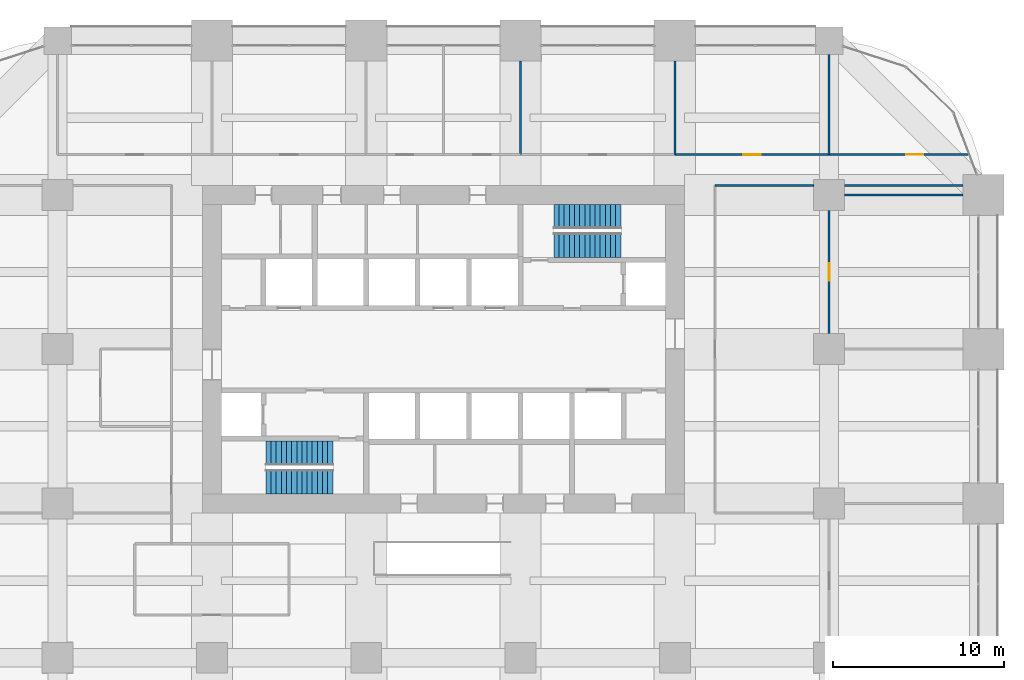
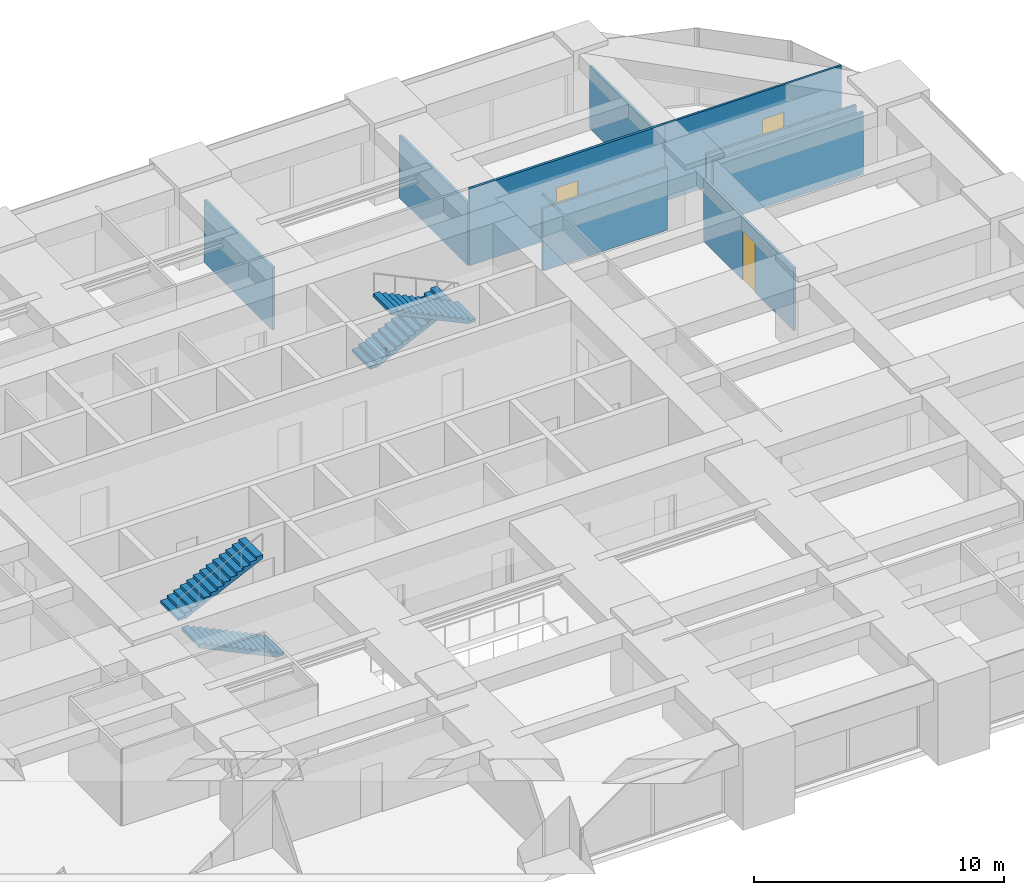
# One storey, part 41 of 43: 9 walls, 4 stair flights, 3 doors, 3 openings, 2 elements without a shape of their own.
"""IFC4 building model written with IfcOpenShell, lengths in metres."""

from ifc_helpers import new_model, si_unit, direction, frame, frame_2d, origin, place, context, subcontext, project, spatial, polyline, rectangle, outline, extrude, material, layer, layer_set, type_object, element, fill, aggregate, save


model = new_model("IFC4")

# Units and contexts
model_context = context("Model", 3, precision=1e-05, world=origin(), true_north=direction((0.0, 1.0)))
body_context = subcontext(model_context, "Body", "Model", "MODEL_VIEW")
ifc_project = project(units=[si_unit("LENGTHUNIT", "METRE"), si_unit("AREAUNIT", "SQUARE_METRE"), si_unit("VOLUMEUNIT", "CUBIC_METRE"), si_unit("PLANEANGLEUNIT", "RADIAN"), si_unit("MASSUNIT", "GRAM", prefix="KILO")], contexts=[model_context])

# Site, building, storey
site_placement = place(None, origin())
site = spatial("IfcSite", under=ifc_project, at=site_placement, CompositionType="ELEMENT")
building_placement = place(site_placement, origin())
building = spatial("IfcBuilding", under=site, at=building_placement, Name="Zorevar Civic Tower", CompositionType="ELEMENT")
storey_placement = place(building_placement, frame((0.0, 0.0, 141.0)))
storey = spatial("IfcBuildingStorey", under=building, at=storey_placement, Name="L34", CompositionType="ELEMENT", Elevation=141.0)

# Walls
ifc_material_1 = material(Name="Laminated glass in black aluminium frame", Category="aluminium")
ifc_layer_1 = layer(ifc_material_1, 0.10009765625)
ifc_layer_set_1 = layer_set([ifc_layer_1], Name="Glazed partition 100")
wall_type_1 = type_object("IfcWallType", Name="Glazed partition 100", PredefinedType="PARTITIONING", material=ifc_layer_set_1)
wall_1_placement = place(storey_placement, frame((47.35009765625, 36.550048828125, 0.0), z_axis=(0.0, 0.0, 1.0), x_axis=(1.0, 0.0, 0.0)))
element("IfcWall", 1, at=wall_1_placement, inside=storey, type_object=wall_type_1, Name="Glazed partition 100 L34", PredefinedType="PARTITIONING", context=body_context, shape_type="SweptSolid", body=[
    extrude(rectangle(XDim=5.75, YDim=0.10009765625, at=frame_2d((2.875, 0.0))), origin(), (0.0, 0.0, 1.0), 3.050048828125),
])
wall_2_placement = place(storey_placement, frame((54.89990234375, 36.550048828125, 0.0), z_axis=(0.0, 0.0, 1.0), x_axis=(1.0, 0.0, 0.0)))
element("IfcWall", 2, at=wall_2_placement, inside=storey, type_object=wall_type_1, Name="Glazed partition 100 L34", PredefinedType="PARTITIONING", context=body_context, shape_type="SweptSolid", body=[
    extrude(rectangle(XDim=6.900146484375, YDim=0.10009765625, at=frame_2d((3.4501953125, 0.0))), origin(), (0.0, 0.0, 1.0), 3.050048828125),
])

# Wall, opening, door
wall_3_placement = place(storey_placement, frame((54.0, 38.35009765625, 0.0), z_axis=(0.0, 0.0, 1.0), x_axis=(1.0, 0.0, 0.0)))
wall_3 = element("IfcWall", 3, at=wall_3_placement, inside=storey, type_object=wall_type_1, Name="Glazed partition 100 L34", PredefinedType="PARTITIONING", context=body_context, shape_type="SweptSolid", body=[
    extrude(rectangle(XDim=8.1455078125, YDim=0.10009765625, at=frame_2d((4.07275390625, 0.0))), origin(), (0.0, 0.0, 1.0), 3.75),
])
opening_1_placement = place(wall_3_placement, frame((4.5, 0.0, 0.0)))
opening_1 = element("IfcOpeningElement", 4, at=opening_1_placement, cuts=wall_3, Name="Opening L34.30", PredefinedType="OPENING", context=body_context, shape_type="SweptSolid", body=[
    extrude(rectangle(XDim=1.0, YDim=2.39990234375, at=frame_2d((0.5, 1.199951171875))), frame((0.0, 0.06005859375, 0.0), z_axis=(0.0, -1.0, 0.0), x_axis=(1.0, 0.0, 0.0)), (0.0, 0.0, 1.0), 0.1201171875),
])
ifc_material_2 = material(Name="Timber door set", Category="wood")
door_type_1 = type_object("IfcDoorType", Name="Glazed door GD1 1000x2400", OperationType="SINGLE_SWING_LEFT", PredefinedType="DOOR", material=ifc_material_2)
door_1_placement = place(opening_1_placement, origin())
door_1 = element("IfcDoor", 5, at=door_1_placement, inside=storey, type_object=door_type_1, Name="Door L34 D1", OperationType="SINGLE_SWING_RIGHT", OverallHeight=2.39990234375, OverallWidth=1.0, PredefinedType="DOOR", context=body_context, shape_type="SweptSolid", body=[
    extrude(rectangle(XDim=1.0, YDim=2.39990234375, at=frame_2d((0.5, 1.199951171875))), frame((0.0, 0.02001953125, 0.0), z_axis=(0.0, -1.0, 0.0), x_axis=(1.0, 0.0, 0.0)), (0.0, 0.0, 1.0), 0.0400390625),
])
fill(opening_1, door_1)

# Wall
ifc_material_3 = material(Name="Gypsum board on steel studs", Category="steel")
ifc_layer_2 = layer(ifc_material_3, 0.1201171875)
ifc_layer_set_2 = layer_set([ifc_layer_2], Name="Partition 120")
wall_type_2 = type_object("IfcWallType", Name="Partition 120", PredefinedType="PARTITIONING", material=ifc_layer_set_2)
wall_4_placement = place(storey_placement, frame((54.89990234375, 36.0, 0.0), z_axis=(0.0, 0.0, 1.0), x_axis=(1.0, 0.0, 0.0)))
element("IfcWall", 6, at=wall_4_placement, inside=storey, type_object=wall_type_2, Name="Partition 120 L34", PredefinedType="PARTITIONING", context=body_context, shape_type="SweptSolid", body=[
    extrude(rectangle(XDim=6.900146484375, YDim=0.1201171875, at=frame_2d((3.4501953125, 0.0))), origin(), (0.0, 0.0, 1.0), 3.050048828125),
])

# Wall, opening, door
wall_5_placement = place(storey_placement, frame((45.0, 38.35009765625, 0.0), z_axis=(0.0, 0.0, 1.0), x_axis=(1.0, 0.0, 0.0)))
wall_5 = element("IfcWall", 7, at=wall_5_placement, inside=storey, type_object=wall_type_2, Name="Partition 120 L34", PredefinedType="PARTITIONING", context=body_context, shape_type="SweptSolid", body=[
    extrude(rectangle(XDim=9.0, YDim=0.1201171875, at=frame_2d((4.5, 0.0))), origin(), (0.0, 0.0, 1.0), 3.75),
])
opening_2_placement = place(wall_5_placement, frame((4.0, 0.0, 0.0)))
opening_2 = element("IfcOpeningElement", 8, at=opening_2_placement, cuts=wall_5, Name="Opening L34.29", PredefinedType="OPENING", context=body_context, shape_type="SweptSolid", body=[
    extrude(rectangle(XDim=1.0, YDim=2.39990234375, at=frame_2d((0.5, 1.199951171875))), frame((0.0, 0.070068359375, 0.0), z_axis=(0.0, -1.0, 0.0), x_axis=(1.0, 0.0, 0.0)), (0.0, 0.0, 1.0), 0.14013671875),
])
ifc_material_4 = material(Name="Timber door set", Category="wood")
door_type_2 = type_object("IfcDoorType", Name="Door D1 1000x2400", OperationType="SINGLE_SWING_LEFT", PredefinedType="DOOR", material=ifc_material_4)
door_2_placement = place(opening_2_placement, origin())
door_2 = element("IfcDoor", 9, at=door_2_placement, inside=storey, type_object=door_type_2, Name="Door L34 D1", OperationType="SINGLE_SWING_RIGHT", OverallHeight=2.39990234375, OverallWidth=1.0, PredefinedType="DOOR", context=body_context, shape_type="SweptSolid", body=[
    extrude(rectangle(XDim=1.0, YDim=2.39990234375, at=frame_2d((0.5, 1.199951171875))), frame((0.0, 0.02490234375, 0.0), z_axis=(0.0, -1.0, 0.0), x_axis=(1.0, 0.0, 0.0)), (0.0, 0.0, 1.0), 0.050048828125),
])
fill(opening_2, door_2)

# Walls
for number, where, z_axis, x_axis, name in (
    (10, (36.0, 38.35009765625, 0.0), (0.0, 0.0, 1.0), (0.0, 1.0, 0.0), "Partition 120 L34"),
    (11, (45.0, 38.35009765625, 0.0), (0.0, 0.0, 1.0), (0.0, 1.0, 0.0), "Partition 120 L34"),
):
    element("IfcWall", number, at=place(storey_placement, frame(where, z_axis=z_axis, x_axis=x_axis)), inside=storey, type_object=wall_type_2, Name=name, PredefinedType="PARTITIONING", context=body_context, shape_type="SweptSolid", body=[
        extrude(rectangle(XDim=5.449951171875, YDim=0.1201171875, at=frame_2d((2.72509765625, 0.0))), origin(), (0.0, 0.0, 1.0), 3.050048828125),
    ])
wall_6_placement = place(storey_placement, frame((54.0, 38.35009765625, 0.0), z_axis=(0.0, 0.0, 1.0), x_axis=(0.0, 1.0, 0.0)))
element("IfcWall", 12, at=wall_6_placement, inside=storey, type_object=wall_type_2, Name="Partition 120 L34", PredefinedType="PARTITIONING", context=body_context, shape_type="SweptSolid", body=[
    extrude(rectangle(XDim=5.849853515625, YDim=0.1201171875, at=frame_2d((2.9248046875, 0.0))), origin(), (0.0, 0.0, 1.0), 3.050048828125),
])

# Wall, opening, door
wall_7_placement = place(storey_placement, frame((54.0, 27.89990234375, 0.0), z_axis=(0.0, 0.0, 1.0), x_axis=(0.0, 1.0, 0.0)))
wall_7 = element("IfcWall", 13, at=wall_7_placement, inside=storey, type_object=wall_type_2, Name="Partition 120 L34", PredefinedType="PARTITIONING", context=body_context, shape_type="SweptSolid", body=[
    extrude(rectangle(XDim=7.2001953125, YDim=0.1201171875, at=frame_2d((3.60009765625, 0.0))), origin(), (0.0, 0.0, 1.0), 3.050048828125),
])
opening_3_placement = place(wall_7_placement, frame((3.10009765625, 0.0, 0.0)))
opening_3 = element("IfcOpeningElement", 14, at=opening_3_placement, cuts=wall_7, Name="Opening L34.41", PredefinedType="OPENING", context=body_context, shape_type="SweptSolid", body=[
    extrude(rectangle(XDim=1.0, YDim=2.39990234375, at=frame_2d((0.5, 1.199951171875))), frame((0.0, 0.070068359375, 0.0), z_axis=(0.0, -1.0, 0.0), x_axis=(1.0, 0.0, 0.0)), (0.0, 0.0, 1.0), 0.14013671875),
])
door_3_placement = place(opening_3_placement, origin())
door_3 = element("IfcDoor", 15, at=door_3_placement, inside=storey, type_object=door_type_2, Name="Door L34 D1", OperationType="SINGLE_SWING_LEFT", OverallHeight=2.39990234375, OverallWidth=1.0, PredefinedType="DOOR", context=body_context, shape_type="SweptSolid", body=[
    extrude(rectangle(XDim=1.0, YDim=2.39990234375, at=frame_2d((0.5, 1.199951171875))), frame((0.0, 0.02490234375, 0.0), z_axis=(0.0, -1.0, 0.0), x_axis=(1.0, 0.0, 0.0)), (0.0, 0.0, 1.0), 0.050048828125),
])
fill(opening_3, door_3)

# Stair, stair flights
ifc_material_5 = material(Name="Precast concrete C40/50", Category="concrete")
stair_type = type_object("IfcStairType", Name="Stair ST 28R", PredefinedType="HALF_TURN_STAIR", material=ifc_material_5)
stair_1_placement = place(storey_placement, origin())
stair_1 = element("IfcStair", 16, at=stair_1_placement, inside=storey, type_object=stair_type, Name="Stair ST1 L34", PredefinedType="HALF_TURN_STAIR")
ifc_material_6 = material(Name="Precast concrete C40/50", Category="concrete")
stair_flight_type = type_object("IfcStairFlightType", Name="Stair flight", PredefinedType="STRAIGHT", material=ifc_material_6)
stair_flight_1_placement = place(storey_placement, frame((25.050048828125, 19.262451171875, 0.0), z_axis=(0.0, 0.0, 1.0), x_axis=(-1.0, 0.0, 0.0)))
stair_flight_1 = element("IfcStairFlight", 17, at=stair_flight_1_placement, type_object=stair_flight_type, Name="ST1 flight 1", NumberOfRisers=14, NumberOfTreads=13, PredefinedType="STRAIGHT", RiserHeight=0.142857143, TreadLength=0.3, context=body_context, shape_type="SweptSolid", body=[
    extrude(outline(polyline([(0.0, 0.0), (0.0, 0.142822265625), (0.300048828125, 0.142822265625), (0.300048828125, 0.28564453125), (0.60009765625, 0.28564453125), (0.60009765625, 0.428466796875), (0.89990234375, 0.428466796875), (0.89990234375, 0.571533203125), (1.199951171875, 0.571533203125), (1.199951171875, 0.71435546875), (1.5, 0.71435546875), (1.5, 0.857177734375), (1.800048828125, 0.857177734375), (1.800048828125, 1.0), (2.10009765625, 1.0), (2.10009765625, 1.142822265625), (2.39990234375, 1.142822265625), (2.39990234375, 1.28564453125), (2.699951171875, 1.28564453125), (2.699951171875, 1.428466796875), (3.0, 1.428466796875), (3.0, 1.571533203125), (3.300048828125, 1.571533203125), (3.300048828125, 1.71435546875), (3.60009765625, 1.71435546875), (3.60009765625, 1.857177734375), (3.89990234375, 1.857177734375), (3.89990234375, 2.0), (3.89990234375, 1.691162109375), (0.3486328125, 0.0), (0.0, 0.0)])), frame((0.0, 0.71240234375, 0.0), z_axis=(0.0, -1.0, 0.0), x_axis=(1.0, 0.0, 0.0)), (0.0, 0.0, 1.0), 1.425048828125),
])
stair_flight_2_placement = place(storey_placement, frame((21.14990234375, 20.9375, 2.0), z_axis=(0.0, 0.0, 1.0), x_axis=(1.0, 0.0, 0.0)))
stair_flight_2 = element("IfcStairFlight", 18, at=stair_flight_2_placement, type_object=stair_flight_type, Name="ST1 flight 2", NumberOfRisers=14, NumberOfTreads=13, PredefinedType="STRAIGHT", RiserHeight=0.142857143, TreadLength=0.3, context=body_context, shape_type="SweptSolid", body=[
    extrude(outline(polyline([(0.0, 0.0), (0.0, 0.142822265625), (0.300048828125, 0.142822265625), (0.300048828125, 0.28564453125), (0.60009765625, 0.28564453125), (0.60009765625, 0.428466796875), (0.89990234375, 0.428466796875), (0.89990234375, 0.571533203125), (1.199951171875, 0.571533203125), (1.199951171875, 0.71435546875), (1.5, 0.71435546875), (1.5, 0.857177734375), (1.800048828125, 0.857177734375), (1.800048828125, 1.0), (2.10009765625, 1.0), (2.10009765625, 1.142822265625), (2.39990234375, 1.142822265625), (2.39990234375, 1.28564453125), (2.699951171875, 1.28564453125), (2.699951171875, 1.428466796875), (3.0, 1.428466796875), (3.0, 1.571533203125), (3.300048828125, 1.571533203125), (3.300048828125, 1.71435546875), (3.60009765625, 1.71435546875), (3.60009765625, 1.857177734375), (3.89990234375, 1.857177734375), (3.89990234375, 2.0), (3.89990234375, 1.691162109375), (0.3486328125, 0.0), (0.0, 0.0)])), frame((0.0, 0.71240234375, 0.0), z_axis=(0.0, -1.0, 0.0), x_axis=(1.0, 0.0, 0.0)), (0.0, 0.0, 1.0), 1.425048828125),
])
aggregate(stair_1, [stair_flight_1, stair_flight_2])

stair_2_placement = place(storey_placement, origin())
stair_2 = element("IfcStair", 19, at=stair_2_placement, inside=storey, type_object=stair_type, Name="Stair ST2 L34", PredefinedType="HALF_TURN_STAIR")
stair_flight_3_placement = place(storey_placement, frame((37.949951171875, 34.737548828125, 0.0), z_axis=(0.0, 0.0, 1.0), x_axis=(1.0, 0.0, 0.0)))
stair_flight_3 = element("IfcStairFlight", 20, at=stair_flight_3_placement, type_object=stair_flight_type, Name="ST2 flight 1", NumberOfRisers=14, NumberOfTreads=13, PredefinedType="STRAIGHT", RiserHeight=0.142857143, TreadLength=0.3, context=body_context, shape_type="SweptSolid", body=[
    extrude(outline(polyline([(0.0, 0.0), (0.0, 0.142822265625), (0.300048828125, 0.142822265625), (0.300048828125, 0.28564453125), (0.60009765625, 0.28564453125), (0.60009765625, 0.428466796875), (0.89990234375, 0.428466796875), (0.89990234375, 0.571533203125), (1.199951171875, 0.571533203125), (1.199951171875, 0.71435546875), (1.5, 0.71435546875), (1.5, 0.857177734375), (1.800048828125, 0.857177734375), (1.800048828125, 1.0), (2.10009765625, 1.0), (2.10009765625, 1.142822265625), (2.39990234375, 1.142822265625), (2.39990234375, 1.28564453125), (2.699951171875, 1.28564453125), (2.699951171875, 1.428466796875), (3.0, 1.428466796875), (3.0, 1.571533203125), (3.300048828125, 1.571533203125), (3.300048828125, 1.71435546875), (3.60009765625, 1.71435546875), (3.60009765625, 1.857177734375), (3.89990234375, 1.857177734375), (3.89990234375, 2.0), (3.89990234375, 1.691162109375), (0.3486328125, 0.0), (0.0, 0.0)])), frame((0.0, 0.71240234375, 0.0), z_axis=(0.0, -1.0, 0.0), x_axis=(1.0, 0.0, 0.0)), (0.0, 0.0, 1.0), 1.425048828125),
])
stair_flight_4_placement = place(storey_placement, frame((41.85009765625, 33.0625, 2.0), z_axis=(0.0, 0.0, 1.0), x_axis=(-1.0, 0.0, 0.0)))
stair_flight_4 = element("IfcStairFlight", 21, at=stair_flight_4_placement, type_object=stair_flight_type, Name="ST2 flight 2", NumberOfRisers=14, NumberOfTreads=13, PredefinedType="STRAIGHT", RiserHeight=0.142857143, TreadLength=0.3, context=body_context, shape_type="SweptSolid", body=[
    extrude(outline(polyline([(0.0, 0.0), (0.0, 0.142822265625), (0.300048828125, 0.142822265625), (0.300048828125, 0.28564453125), (0.60009765625, 0.28564453125), (0.60009765625, 0.428466796875), (0.89990234375, 0.428466796875), (0.89990234375, 0.571533203125), (1.199951171875, 0.571533203125), (1.199951171875, 0.71435546875), (1.5, 0.71435546875), (1.5, 0.857177734375), (1.800048828125, 0.857177734375), (1.800048828125, 1.0), (2.10009765625, 1.0), (2.10009765625, 1.142822265625), (2.39990234375, 1.142822265625), (2.39990234375, 1.28564453125), (2.699951171875, 1.28564453125), (2.699951171875, 1.428466796875), (3.0, 1.428466796875), (3.0, 1.571533203125), (3.300048828125, 1.571533203125), (3.300048828125, 1.71435546875), (3.60009765625, 1.71435546875), (3.60009765625, 1.857177734375), (3.89990234375, 1.857177734375), (3.89990234375, 2.0), (3.89990234375, 1.691162109375), (0.3486328125, 0.0), (0.0, 0.0)])), frame((0.0, 0.71240234375, 0.0), z_axis=(0.0, -1.0, 0.0), x_axis=(1.0, 0.0, 0.0)), (0.0, 0.0, 1.0), 1.425048828125),
])
aggregate(stair_2, [stair_flight_3, stair_flight_4])

save(model, "model.ifc")
